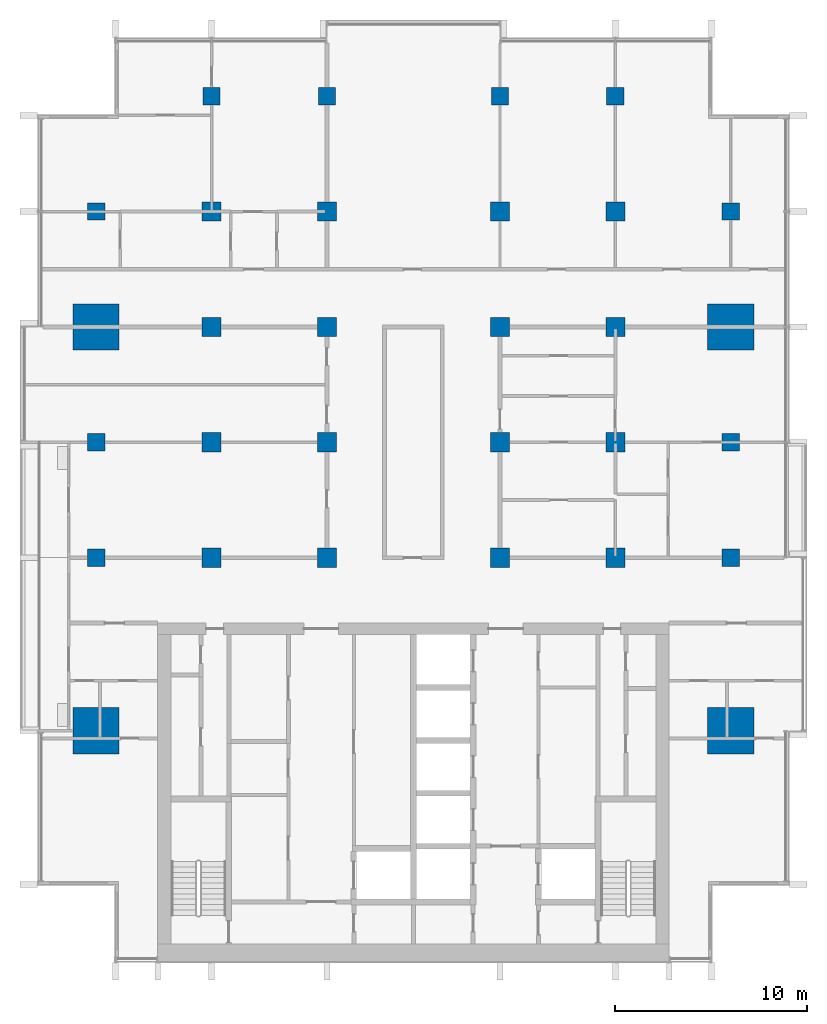
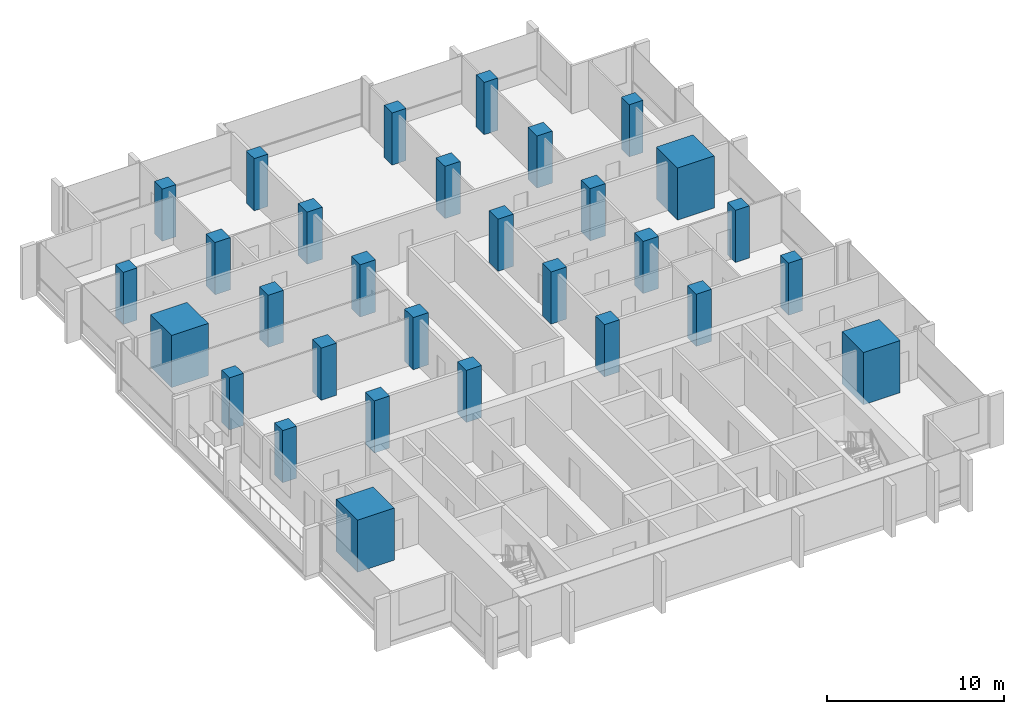
# One storey, part 1 of 16: 30 columns.
"""IFC4 building model written with IfcOpenShell, lengths in metres."""

from ifc_helpers import new_model, si_unit, direction, frame, origin, origin_2d, place, context, subcontext, project, spatial, rectangle, extrude, material, material_profile, profile_set, type_object, element, save


model = new_model("IFC4")

# Units and contexts
model_context = context("Model", 3, precision=1e-05, world=origin(), true_north=direction((0.0, 1.0)))
body_context = subcontext(model_context, "Body", "Model", "MODEL_VIEW")
ifc_project = project(units=[si_unit("LENGTHUNIT", "METRE"), si_unit("AREAUNIT", "SQUARE_METRE"), si_unit("VOLUMEUNIT", "CUBIC_METRE"), si_unit("PLANEANGLEUNIT", "RADIAN"), si_unit("MASSUNIT", "GRAM", prefix="KILO")], contexts=[model_context])

# Site, building, storey
site_placement = place(None, origin())
site = spatial("IfcSite", under=ifc_project, at=site_placement, CompositionType="ELEMENT")
building_placement = place(site_placement, origin())
building = spatial("IfcBuilding", under=site, at=building_placement, Name="Finial Court Residences", CompositionType="ELEMENT")
storey_placement = place(building_placement, frame((0.0, 0.0, 188.89990234375)))
storey = spatial("IfcBuildingStorey", under=building, at=storey_placement, Name="L47", CompositionType="ELEMENT", Elevation=188.89990234375)

# Columns
ifc_material = material(Name="Concrete C60/75", Category="concrete")
ifc_material_profile_1 = material_profile(ifc_material, rectangle(XDim=1.0, YDim=1.0, at=origin_2d()), Name="1000x1000")
ifc_profile_set_1 = profile_set([ifc_material_profile_1], Name="Concrete C60/75")
column_type_1 = type_object("IfcColumnType", Name="Interior column 1000x1000 Concrete C60/75", PredefinedType="COLUMN", material=ifc_profile_set_1)
for number, where, z_axis, x_axis, name in (
    (1, (-10.5, -4.5, 0.0), (0.0, 0.0, 1.0), (1.0, 0.0, 0.0), "S:COL:L47:D4"),
    (2, (-10.5, 1.5, 0.0), (0.0, 0.0, 1.0), (1.0, 0.0, 0.0), "S:COL:L47:D5"),
    (3, (-10.5, 7.5, 0.0), (0.0, 0.0, 1.0), (1.0, 0.0, 0.0), "S:COL:L47:D6"),
    (4, (-10.5, 13.5, 0.0), (0.0, 0.0, 1.0), (1.0, 0.0, 0.0), "S:COL:L47:D7"),
    (5, (-4.5, -4.5, 0.0), (0.0, 0.0, 1.0), (1.0, 0.0, 0.0), "S:COL:L47:E4"),
    (6, (-4.5, 1.5, 0.0), (0.0, 0.0, 1.0), (1.0, 0.0, 0.0), "S:COL:L47:E5"),
    (7, (-4.5, 7.5, 0.0), (0.0, 0.0, 1.0), (1.0, 0.0, 0.0), "S:COL:L47:E6"),
    (8, (-4.5, 13.5, 0.0), (0.0, 0.0, 1.0), (1.0, 0.0, 0.0), "S:COL:L47:E7"),
    (9, (4.5, -4.5, 0.0), (0.0, 0.0, 1.0), (1.0, 0.0, 0.0), "S:COL:L47:F4"),
    (10, (4.5, 1.5, 0.0), (0.0, 0.0, 1.0), (1.0, 0.0, 0.0), "S:COL:L47:F5"),
    (11, (4.5, 7.5, 0.0), (0.0, 0.0, 1.0), (1.0, 0.0, 0.0), "S:COL:L47:F6"),
    (12, (4.5, 13.5, 0.0), (0.0, 0.0, 1.0), (1.0, 0.0, 0.0), "S:COL:L47:F7"),
    (13, (10.5, -4.5, 0.0), (0.0, 0.0, 1.0), (1.0, 0.0, 0.0), "S:COL:L47:G4"),
    (14, (10.5, 1.5, 0.0), (0.0, 0.0, 1.0), (1.0, 0.0, 0.0), "S:COL:L47:G5"),
    (15, (10.5, 7.5, 0.0), (0.0, 0.0, 1.0), (1.0, 0.0, 0.0), "S:COL:L47:G6"),
    (16, (10.5, 13.5, 0.0), (0.0, 0.0, 1.0), (1.0, 0.0, 0.0), "S:COL:L47:G7"),
):
    element("IfcColumn", number, at=place(storey_placement, frame(where, z_axis=z_axis, x_axis=x_axis)), inside=storey, type_object=column_type_1, Name=name, PredefinedType="COLUMN", context=body_context, shape_type="SweptSolid", body=[
        extrude(rectangle(XDim=1.0, YDim=1.0, at=origin_2d()), origin(), (0.0, 0.0, 1.0), 3.60009765625),
    ])
ifc_material_profile_2 = material_profile(ifc_material, rectangle(XDim=2.39990234375, YDim=2.39990234375, at=origin_2d()), Name="2400x2400")
ifc_profile_set_2 = profile_set([ifc_material_profile_2], Name="Concrete C60/75")
column_type_2 = type_object("IfcColumnType", Name="Mega column 2400x2400 Concrete C60/75", PredefinedType="COLUMN", material=ifc_profile_set_2)
for number, where, z_axis, x_axis, name in (
    (17, (-16.5, -13.5, 0.0), (0.0, 0.0, 1.0), (1.0, 0.0, 0.0), "S:COL:L47:C3"),
    (18, (-16.5, 7.5, 0.0), (0.0, 0.0, 1.0), (1.0, 0.0, 0.0), "S:COL:L47:C6"),
    (19, (16.5, -13.5, 0.0), (0.0, 0.0, 1.0), (1.0, 0.0, 0.0), "S:COL:L47:H3"),
    (20, (16.5, 7.5, 0.0), (0.0, 0.0, 1.0), (1.0, 0.0, 0.0), "S:COL:L47:H6"),
):
    element("IfcColumn", number, at=place(storey_placement, frame(where, z_axis=z_axis, x_axis=x_axis)), inside=storey, type_object=column_type_2, Name=name, PredefinedType="COLUMN", context=body_context, shape_type="SweptSolid", body=[
        extrude(rectangle(XDim=2.39990234375, YDim=2.39990234375, at=origin_2d()), origin(), (0.0, 0.0, 1.0), 3.60009765625),
    ])
ifc_material_profile_3 = material_profile(ifc_material, rectangle(XDim=0.89990234375, YDim=0.89990234375, at=origin_2d()), Name="900x900")
ifc_profile_set_3 = profile_set([ifc_material_profile_3], Name="Concrete C60/75")
column_type_3 = type_object("IfcColumnType", Name="Perimeter column 900x900 Concrete C60/75", PredefinedType="COLUMN", material=ifc_profile_set_3)
for number, where, z_axis, x_axis, name in (
    (21, (-16.5, -4.5, 0.0), (0.0, 0.0, 1.0), (1.0, 0.0, 0.0), "S:COL:L47:C4"),
    (22, (-16.5, 1.5, 0.0), (0.0, 0.0, 1.0), (1.0, 0.0, 0.0), "S:COL:L47:C5"),
    (23, (-16.5, 13.5, 0.0), (0.0, 0.0, 1.0), (1.0, 0.0, 0.0), "S:COL:L47:C7"),
    (24, (-10.5, 19.5, 0.0), (0.0, 0.0, 1.0), (1.0, 0.0, 0.0), "S:COL:L47:D8"),
    (25, (-4.5, 19.5, 0.0), (0.0, 0.0, 1.0), (1.0, 0.0, 0.0), "S:COL:L47:E8"),
    (26, (4.5, 19.5, 0.0), (0.0, 0.0, 1.0), (1.0, 0.0, 0.0), "S:COL:L47:F8"),
    (27, (10.5, 19.5, 0.0), (0.0, 0.0, 1.0), (1.0, 0.0, 0.0), "S:COL:L47:G8"),
    (28, (16.5, -4.5, 0.0), (0.0, 0.0, 1.0), (1.0, 0.0, 0.0), "S:COL:L47:H4"),
    (29, (16.5, 1.5, 0.0), (0.0, 0.0, 1.0), (1.0, 0.0, 0.0), "S:COL:L47:H5"),
    (30, (16.5, 13.5, 0.0), (0.0, 0.0, 1.0), (1.0, 0.0, 0.0), "S:COL:L47:H7"),
):
    element("IfcColumn", number, at=place(storey_placement, frame(where, z_axis=z_axis, x_axis=x_axis)), inside=storey, type_object=column_type_3, Name=name, PredefinedType="COLUMN", context=body_context, shape_type="SweptSolid", body=[
        extrude(rectangle(XDim=0.89990234375, YDim=0.89990234375, at=origin_2d()), origin(), (0.0, 0.0, 1.0), 3.60009765625),
    ])

save(model, "model.ifc")
